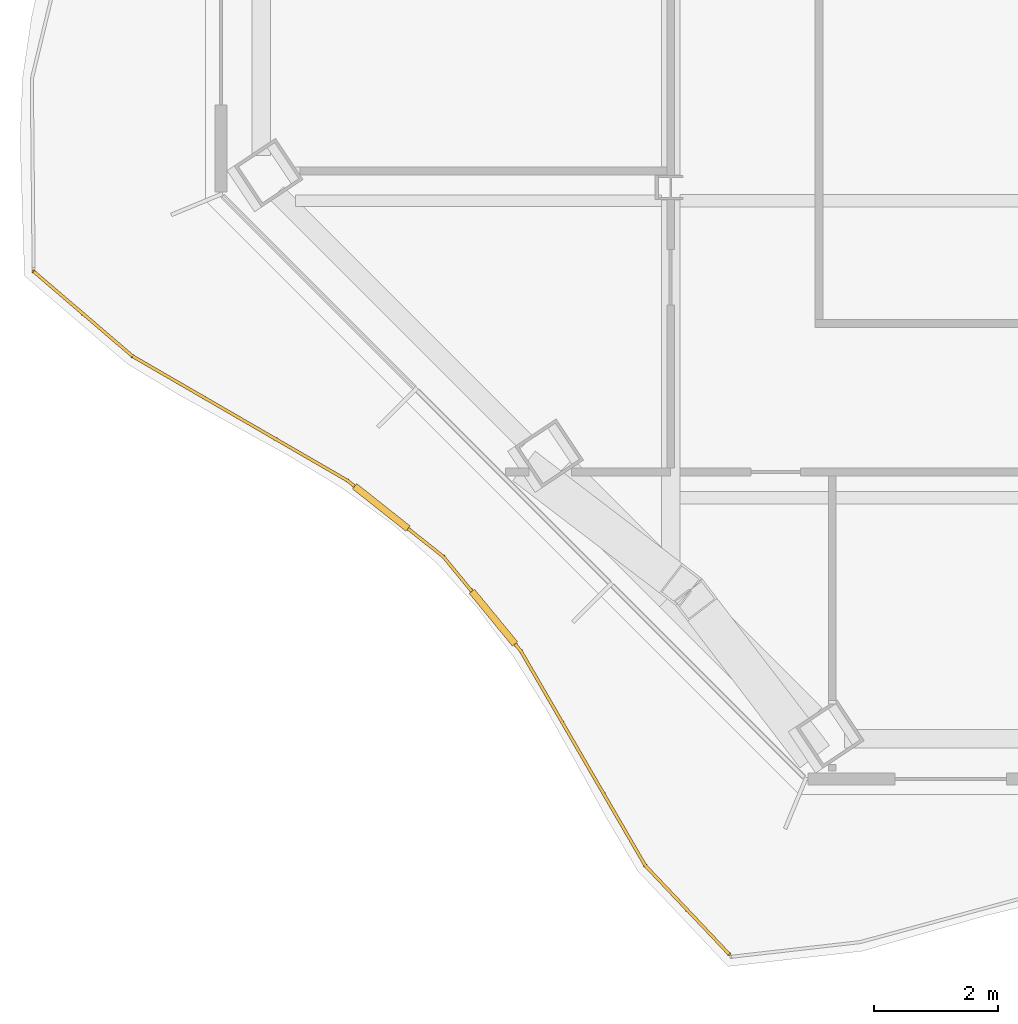
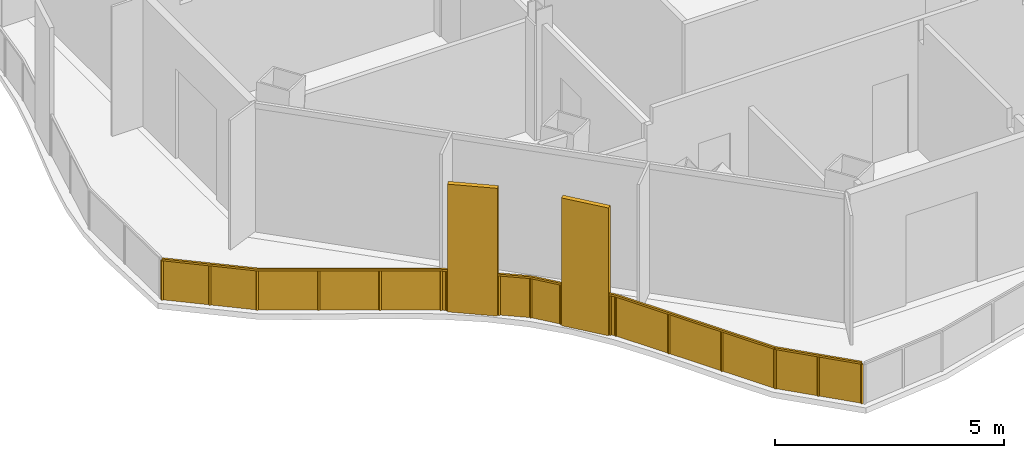
# One storey, part 14 of 22: 1 railing.
"""IFC4 building model written with IfcOpenShell, lengths in metres."""

from ifc_helpers import new_model, si_unit, direction, frame, origin, origin_2d, place, context, subcontext, project, spatial, polyline, rectangle, outline, extrude, material, type_object, element, save


model = new_model("IFC4")

# Units and contexts
model_context = context("Model", 3, precision=1e-05, world=origin(), true_north=direction((0.0, 1.0)))
body_context = subcontext(model_context, "Body", "Model", "MODEL_VIEW")
ifc_project = project(units=[si_unit("LENGTHUNIT", "METRE"), si_unit("AREAUNIT", "SQUARE_METRE"), si_unit("VOLUMEUNIT", "CUBIC_METRE"), si_unit("PLANEANGLEUNIT", "RADIAN"), si_unit("MASSUNIT", "GRAM", prefix="KILO")], contexts=[model_context])

# Site, building, storey
site_placement = place(None, origin())
site = spatial("IfcSite", under=ifc_project, at=site_placement, CompositionType="ELEMENT")
building_placement = place(site_placement, origin())
building = spatial("IfcBuilding", under=site, at=building_placement, Name="Cairn Pilgrim Tower", CompositionType="ELEMENT")
storey_placement = place(building_placement, frame((0.0, 0.0, 112.199951171875)))
storey = spatial("IfcBuildingStorey", under=building, at=storey_placement, Name="L27", CompositionType="ELEMENT", Elevation=112.199951171875)

# Railing
ifc_material = material(Name="Bronze anodised aluminium rail, posts and fin screens with laminated glass infill", Category="aluminium")
railing_type = type_object("IfcRailingType", Name="BALCONY GUARD WITH FIN SCREENS", PredefinedType="GUARDRAIL", material=ifc_material)
railing_placement = place(storey_placement, frame((-24.698486328125, -10.956787109375, 0.0)))
element("IfcRailing", 1, at=railing_placement, inside=storey, type_object=railing_type, Name="Balcony guard BGF-8 with fin screens", PredefinedType="GUARDRAIL", context=body_context, shape_type="SweptSolid", body=[
    extrude(rectangle(XDim=0.050048828125, YDim=0.050048828125, at=origin_2d()), frame((0.0, 0.0, 1.0751953125), z_axis=(0.759313862915, -0.650724563533, 0.0), x_axis=(0.650724563533, 0.759313862915, 0.0)), (0.0, 0.0, 1.0), 2.106689453125),
    extrude(rectangle(XDim=0.050048828125, YDim=0.050048828125, at=origin_2d()), frame((1.599609375, -1.370849609375, 1.0751953125), z_axis=(0.865515152896, -0.500882740876, 0.0), x_axis=(0.500882740876, 0.865515152896, 0.0)), (0.0, 0.0, 1.0), 4.011962890625),
    extrude(rectangle(XDim=1.10009765625, YDim=0.110107421875, at=origin_2d()), frame((5.62060546875, -3.8154296875, 0.0), z_axis=(0.0, 0.0, 1.0), x_axis=(0.783485254435, -0.621410376549, 0.0)), (0.0, 0.0, 1.0), 3.39990234375),
    extrude(rectangle(XDim=0.050048828125, YDim=0.050048828125, at=origin_2d()), frame((5.072021484375, -3.38037109375, 1.0751953125), z_axis=(0.783485254435, -0.621410376549, 0.0), x_axis=(0.621410376549, 0.783485254435, 0.0)), (0.0, 0.0, 1.0), 0.150146484375),
    extrude(rectangle(XDim=0.050048828125, YDim=0.050048828125, at=origin_2d()), frame((6.051513671875, -4.1572265625, 1.0751953125), z_axis=(0.783485254435, -0.621410376549, 0.0), x_axis=(0.621410376549, 0.783485254435, 0.0)), (0.0, 0.0, 1.0), 0.729248046875),
    extrude(rectangle(XDim=1.10009765625, YDim=0.110107421875, at=origin_2d()), frame((7.433349609375, -5.59716796875, 0.0), z_axis=(0.0, 0.0, 1.0), x_axis=(0.634628809565, -0.772817102599, 0.0)), (0.0, 0.0, 1.0), 3.39990234375),
    extrude(rectangle(XDim=0.050048828125, YDim=0.050048828125, at=origin_2d()), frame((6.622802734375, -4.6103515625, 1.0751953125), z_axis=(0.634628809565, -0.772817102599, 0.0), x_axis=(0.772817102599, 0.634628809565, 0.0)), (0.0, 0.0, 1.0), 0.72705078125),
    extrude(rectangle(XDim=0.050048828125, YDim=0.050048828125, at=origin_2d()), frame((7.7822265625, -6.022216796875, 1.0751953125), z_axis=(0.634628809565, -0.772817102599, 0.0), x_axis=(0.772817102599, 0.634628809565, 0.0)), (0.0, 0.0, 1.0), 0.14990234375),
    extrude(rectangle(XDim=0.050048828125, YDim=0.050048828125, at=origin_2d()), frame((7.87744140625, -6.13818359375, 1.0751953125), z_axis=(0.501612354765, -0.86509250693, 0.0), x_axis=(0.86509250693, 0.501612354765, 0.0)), (0.0, 0.0, 1.0), 4.008544921875),
    extrude(rectangle(XDim=0.050048828125, YDim=0.050048828125, at=origin_2d()), frame((9.88818359375, -9.60595703125, 1.0751953125), z_axis=(0.687569283608, -0.726118778327, 0.0), x_axis=(0.726118778327, 0.687569283608, 0.0)), (0.0, 0.0, 1.0), 1.9697265625),
    extrude(rectangle(XDim=0.050048828125, YDim=0.050048828125, at=origin_2d()), origin(), (0.0, 0.0, 1.0), 1.050048828125),
    extrude(rectangle(XDim=0.050048828125, YDim=0.050048828125, at=origin_2d()), frame((0.7998046875, -0.685546875, 0.0)), (0.0, 0.0, 1.0), 1.050048828125),
    extrude(rectangle(XDim=0.050048828125, YDim=0.050048828125, at=origin_2d()), frame((1.599609375, -1.370849609375, 0.0)), (0.0, 0.0, 1.0), 1.050048828125),
    extrude(rectangle(XDim=0.050048828125, YDim=0.050048828125, at=origin_2d()), frame((2.757080078125, -2.040771484375, 0.0)), (0.0, 0.0, 1.0), 1.050048828125),
    extrude(rectangle(XDim=0.050048828125, YDim=0.050048828125, at=origin_2d()), frame((3.91455078125, -2.71044921875, 0.0)), (0.0, 0.0, 1.0), 1.050048828125),
    extrude(rectangle(XDim=0.050048828125, YDim=0.050048828125, at=origin_2d()), frame((5.072021484375, -3.38037109375, 0.0)), (0.0, 0.0, 1.0), 1.050048828125),
    extrude(rectangle(XDim=0.050048828125, YDim=0.050048828125, at=origin_2d()), frame((5.169921875, -3.4580078125, 0.0)), (0.0, 0.0, 1.0), 1.050048828125),
    extrude(rectangle(XDim=0.050048828125, YDim=0.050048828125, at=origin_2d()), frame((6.071044921875, -4.1728515625, 0.0)), (0.0, 0.0, 1.0), 1.050048828125),
    extrude(rectangle(XDim=0.050048828125, YDim=0.050048828125, at=origin_2d()), frame((6.622802734375, -4.6103515625, 0.0)), (0.0, 0.0, 1.0), 1.050048828125),
    extrude(rectangle(XDim=0.050048828125, YDim=0.050048828125, at=origin_2d()), frame((7.068359375, -5.15283203125, 0.0)), (0.0, 0.0, 1.0), 1.050048828125),
    extrude(rectangle(XDim=0.050048828125, YDim=0.050048828125, at=origin_2d()), frame((7.798095703125, -6.041748046875, 0.0)), (0.0, 0.0, 1.0), 1.050048828125),
    extrude(rectangle(XDim=0.050048828125, YDim=0.050048828125, at=origin_2d()), frame((7.87744140625, -6.13818359375, 0.0)), (0.0, 0.0, 1.0), 1.050048828125),
    extrude(rectangle(XDim=0.050048828125, YDim=0.050048828125, at=origin_2d()), frame((8.547607421875, -7.294189453125, 0.0)), (0.0, 0.0, 1.0), 1.050048828125),
    extrude(rectangle(XDim=0.050048828125, YDim=0.050048828125, at=origin_2d()), frame((9.218017578125, -8.449951171875, 0.0)), (0.0, 0.0, 1.0), 1.050048828125),
    extrude(rectangle(XDim=0.050048828125, YDim=0.050048828125, at=origin_2d()), frame((9.88818359375, -9.60595703125, 0.0)), (0.0, 0.0, 1.0), 1.050048828125),
    extrude(rectangle(XDim=0.050048828125, YDim=0.050048828125, at=origin_2d()), frame((10.5654296875, -10.321044921875, 0.0)), (0.0, 0.0, 1.0), 1.050048828125),
    extrude(rectangle(XDim=0.050048828125, YDim=0.050048828125, at=origin_2d()), frame((11.242431640625, -11.0361328125, 0.0)), (0.0, 0.0, 1.0), 1.050048828125),
    extrude(outline(polyline([(0.02490234375, 0.0), (1.0283203125, 0.0), (1.0283203125, 1.050048828125), (0.02490234375, 1.050048828125), (0.02490234375, 0.0)])), frame((0.00390625, 0.004638671875, 0.0), z_axis=(-0.650724563533, -0.759313862915, 0.0), x_axis=(0.759313862915, -0.650724563533, 0.0)), (0.0, 0.0, 1.0), 0.011962890625),
    extrude(outline(polyline([(0.02490234375, 0.0), (1.0283203125, 0.0), (1.0283203125, 1.050048828125), (0.02490234375, 1.050048828125), (0.02490234375, 0.0)])), frame((0.8037109375, -0.680908203125, 0.0), z_axis=(-0.650724563533, -0.759313862915, 0.0), x_axis=(0.759313862915, -0.650724563533, 0.0)), (0.0, 0.0, 1.0), 0.011962890625),
    extrude(outline(polyline([(0.02490234375, 0.0), (1.312255859375, 0.0), (1.312255859375, 1.050048828125), (0.02490234375, 1.050048828125), (0.02490234375, 0.0)])), frame((1.6025390625, -1.36572265625, 0.0), z_axis=(-0.500882740876, -0.865515152896, 0.0), x_axis=(0.865515152896, -0.500882740876, 0.0)), (0.0, 0.0, 1.0), 0.011962890625),
    extrude(outline(polyline([(0.02490234375, 0.0), (1.312255859375, 0.0), (1.312255859375, 1.050048828125), (0.02490234375, 1.050048828125), (0.02490234375, 0.0)])), frame((2.760009765625, -2.035400390625, 0.0), z_axis=(-0.500882740876, -0.865515152896, 0.0), x_axis=(0.865515152896, -0.500882740876, 0.0)), (0.0, 0.0, 1.0), 0.011962890625),
    extrude(outline(polyline([(0.02490234375, 0.0), (1.312255859375, 0.0), (1.312255859375, 1.050048828125), (0.02490234375, 1.050048828125), (0.02490234375, 0.0)])), frame((3.91748046875, -2.705322265625, 0.0), z_axis=(-0.500882740876, -0.865515152896, 0.0), x_axis=(0.865515152896, -0.500882740876, 0.0)), (0.0, 0.0, 1.0), 0.011962890625),
    extrude(outline(polyline([(0.02490234375, 0.0), (0.10009765625, 0.0), (0.10009765625, 1.050048828125), (0.02490234375, 1.050048828125), (0.02490234375, 0.0)])), frame((5.07568359375, -3.375732421875, 0.0), z_axis=(-0.621410376549, -0.783485254435, 0.0), x_axis=(0.783485254435, -0.621410376549, 0.0)), (0.0, 0.0, 1.0), 0.011962890625),
    extrude(outline(polyline([(0.02490234375, 0.0), (0.67919921875, 0.0), (0.67919921875, 1.050048828125), (0.02490234375, 1.050048828125), (0.02490234375, 0.0)])), frame((6.07470703125, -4.16796875, 0.0), z_axis=(-0.621410376549, -0.783485254435, 0.0), x_axis=(0.783485254435, -0.621410376549, 0.0)), (0.0, 0.0, 1.0), 0.011962890625),
    extrude(outline(polyline([(0.02490234375, 0.0), (0.677001953125, 0.0), (0.677001953125, 1.050048828125), (0.02490234375, 1.050048828125), (0.02490234375, 0.0)])), frame((6.62744140625, -4.6064453125, 0.0), z_axis=(-0.772817102599, -0.634628809565, 0.0), x_axis=(0.634628809565, -0.772817102599, 0.0)), (0.0, 0.0, 1.0), 0.011962890625),
    extrude(outline(polyline([(0.02490234375, 0.0), (0.099853515625, 0.0), (0.099853515625, 1.050048828125), (0.02490234375, 1.050048828125), (0.02490234375, 0.0)])), frame((7.802734375, -6.037841796875, 0.0), z_axis=(-0.772817102599, -0.634628809565, 0.0), x_axis=(0.634628809565, -0.772817102599, 0.0)), (0.0, 0.0, 1.0), 0.011962890625),
    extrude(outline(polyline([(0.02490234375, 0.0), (1.311279296875, 0.0), (1.311279296875, 1.050048828125), (0.02490234375, 1.050048828125), (0.02490234375, 0.0)])), frame((7.882568359375, -6.13525390625, 0.0), z_axis=(-0.86509250693, -0.501612354765, 0.0), x_axis=(0.501612354765, -0.86509250693, 0.0)), (0.0, 0.0, 1.0), 0.011962890625),
    extrude(outline(polyline([(0.02490234375, 0.0), (1.311279296875, 0.0), (1.311279296875, 1.050048828125), (0.02490234375, 1.050048828125), (0.02490234375, 0.0)])), frame((8.552978515625, -7.291015625, 0.0), z_axis=(-0.86509250693, -0.501612354765, 0.0), x_axis=(0.501612354765, -0.86509250693, 0.0)), (0.0, 0.0, 1.0), 0.011962890625),
    extrude(outline(polyline([(0.02490234375, 0.0), (1.311279296875, 0.0), (1.311279296875, 1.050048828125), (0.02490234375, 1.050048828125), (0.02490234375, 0.0)])), frame((9.22314453125, -8.447021484375, 0.0), z_axis=(-0.86509250693, -0.501612354765, 0.0), x_axis=(0.501612354765, -0.86509250693, 0.0)), (0.0, 0.0, 1.0), 0.011962890625),
    extrude(outline(polyline([(0.02490234375, 0.0), (0.959716796875, 0.0), (0.959716796875, 1.050048828125), (0.02490234375, 1.050048828125), (0.02490234375, 0.0)])), frame((9.892578125, -9.601806640625, 0.0), z_axis=(-0.726118778327, -0.687569283608, 0.0), x_axis=(0.687569283608, -0.726118778327, 0.0)), (0.0, 0.0, 1.0), 0.011962890625),
    extrude(outline(polyline([(0.02490234375, 0.0), (0.959716796875, 0.0), (0.959716796875, 1.050048828125), (0.02490234375, 1.050048828125), (0.02490234375, 0.0)])), frame((10.569580078125, -10.31689453125, 0.0), z_axis=(-0.726118778327, -0.687569283608, 0.0), x_axis=(0.687569283608, -0.726118778327, 0.0)), (0.0, 0.0, 1.0), 0.011962890625),
])

save(model, "model.ifc")
